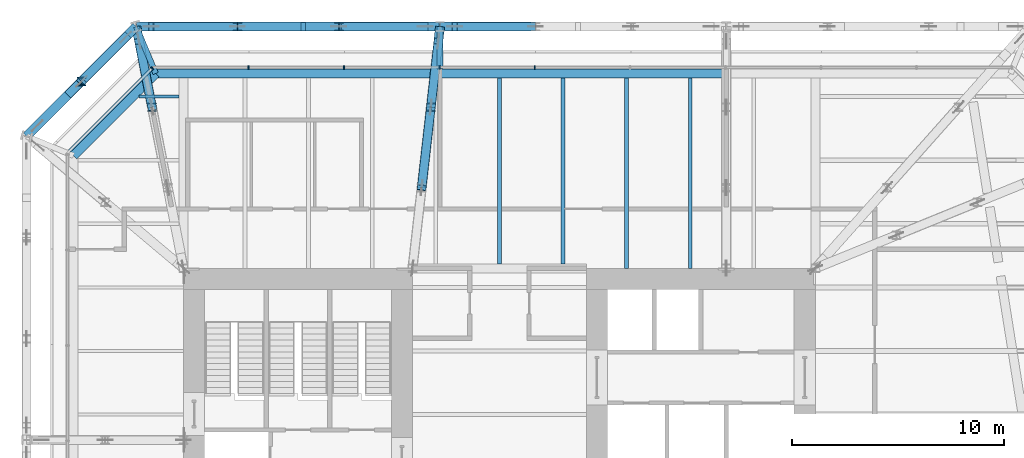
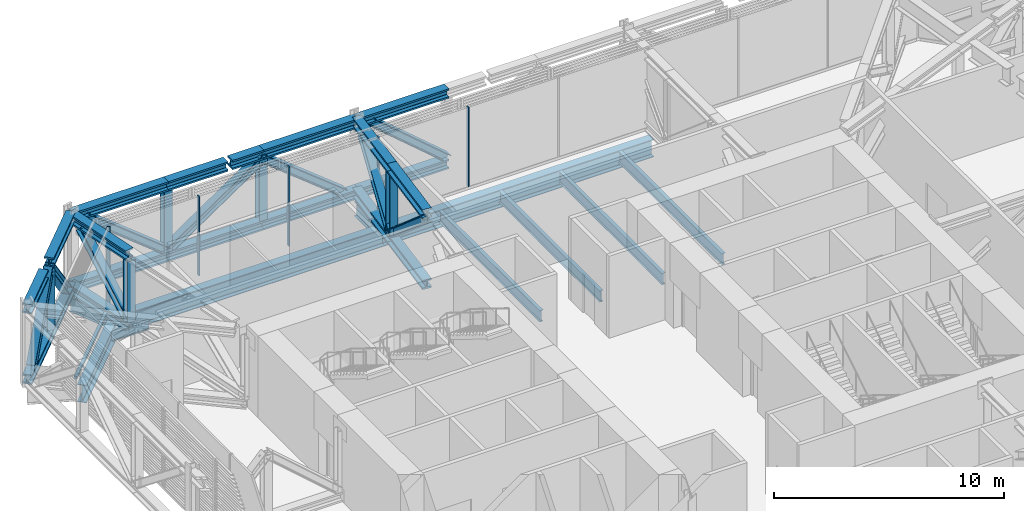
# One storey, part 15 of 31: 29 beams, 20 members, 2 elements without a shape of their own.
"""IFC4 building model written with IfcOpenShell, lengths in metres."""

from ifc_helpers import new_model, si_unit, direction, frame, origin, origin_2d, place, context, subcontext, project, spatial, rectangle, i_section, extrude, material, layer, layer_set, material_profile, profile_set, type_object, element, aggregate, save


model = new_model("IFC4")

# Units and contexts
model_context = context("Model", 3, precision=1e-05, world=origin(), true_north=direction((0.0, 1.0)))
body_context = subcontext(model_context, "Body", "Model", "MODEL_VIEW")
ifc_project = project(units=[si_unit("LENGTHUNIT", "METRE"), si_unit("AREAUNIT", "SQUARE_METRE"), si_unit("VOLUMEUNIT", "CUBIC_METRE"), si_unit("PLANEANGLEUNIT", "RADIAN"), si_unit("MASSUNIT", "GRAM", prefix="KILO")], contexts=[model_context])

# Site, building, storey
site_placement = place(None, origin())
site = spatial("IfcSite", under=ifc_project, at=site_placement, CompositionType="ELEMENT")
building_placement = place(site_placement, origin())
building = spatial("IfcBuilding", under=site, at=building_placement, Name="Millrace Tower", CompositionType="ELEMENT")
storey_placement = place(building_placement, frame((0.0, 0.0, 120.39990234375)))
storey = spatial("IfcBuildingStorey", under=building, at=storey_placement, Name="L26", CompositionType="ELEMENT", Elevation=120.39990234375)

# Beams
ifc_material_1 = material(Name="Steel ASTM A992 Grade 50", Category="steel")
ifc_material_profile_1 = material_profile(ifc_material_1, i_section(OverallWidth=0.431884765625, OverallDepth=0.497802734375, WebThickness=0.0556640625, FlangeThickness=0.0888671875, FilletRadius=0.01513671875, at=origin_2d()))
ifc_profile_set_1 = profile_set([ifc_material_profile_1], Name="Steel ASTM A992 Grade 50")
beam_type_1 = type_object("IfcBeamType", Name="Belt truss chord W14x500", PredefinedType="BEAM", material=ifc_profile_set_1)
for number, where, z_axis, x_axis, name in (
    (1, (1.699951171875, 21.300048828125, 0.2490234375), (-1.0, 0.0, 0.0), (0.0, -1.0, 0.0), "BLT-L26-R11-B03"),
    (2, (1.699951171875, 21.300048828125, 3.9912109375), (-1.0, 0.0, 0.0), (0.0, -1.0, 0.0), "BLT-L26-R11-T03"),
):
    element("IfcBeam", number, at=place(storey_placement, frame(where, z_axis=z_axis, x_axis=x_axis)), inside=storey, type_object=beam_type_1, Name=name, PredefinedType="BEAM", context=body_context, shape_type="SweptSolid", body=[
        extrude(i_section(OverallWidth=0.431884765625, OverallDepth=0.497802734375, WebThickness=0.0556640625, FlangeThickness=0.0888671875, FilletRadius=0.01513671875, at=origin_2d()), origin(), (0.0, 0.0, 1.0), 4.5),
    ])
for number, where, z_axis, x_axis, name in (
    (3, (-2.800048828125, 21.300048828125, 0.2490234375), (-1.0, 0.0, 0.0), (0.0, -1.0, 0.0), "BLT-L26-R12-B01"),
    (4, (-7.576171875, 21.300048828125, 0.2490234375), (-1.0, 0.0, 0.0), (0.0, -1.0, 0.0), "BLT-L26-R12-B02"),
    (5, (-12.352294921875, 21.300048828125, 0.2490234375), (-1.0, 0.0, 0.0), (0.0, -1.0, 0.0), "BLT-L26-R12-B03"),
    (6, (-12.352294921875, 21.300048828125, 3.9912109375), (-1.0, 0.0, 0.0), (0.0, -1.0, 0.0), "BLT-L26-R12-T03"),
):
    element("IfcBeam", number, at=place(storey_placement, frame(where, z_axis=z_axis, x_axis=x_axis)), inside=storey, type_object=beam_type_1, Name=name, PredefinedType="BEAM", context=body_context, shape_type="SweptSolid", body=[
        extrude(i_section(OverallWidth=0.431884765625, OverallDepth=0.497802734375, WebThickness=0.0556640625, FlangeThickness=0.0888671875, FilletRadius=0.01513671875, at=origin_2d()), origin(), (0.0, 0.0, 1.0), 4.776123046875),
    ])
for number, where, z_axis, x_axis, name in (
    (7, (-17.12841796875, 21.300048828125, 0.2490234375), (-0.707073399538, -0.70714016126, 0.0), (0.70714016126, -0.707073399538, 0.0), "BLT-L26-R13-B01"),
    (8, (-17.12841796875, 21.300048828125, 3.9912109375), (-0.707073399538, -0.70714016126, 0.0), (0.70714016126, -0.707073399538, 0.0), "BLT-L26-R13-T01"),
    (9, (-19.714111328125, 18.714111328125, 0.2490234375), (-0.70714016126, -0.707073399538, 0.0), (0.707073399538, -0.70714016126, 0.0), "BLT-L26-R13-B02"),
):
    element("IfcBeam", number, at=place(storey_placement, frame(where, z_axis=z_axis, x_axis=x_axis)), inside=storey, type_object=beam_type_1, Name=name, PredefinedType="BEAM", context=body_context, shape_type="SweptSolid", body=[
        extrude(i_section(OverallWidth=0.431884765625, OverallDepth=0.497802734375, WebThickness=0.0556640625, FlangeThickness=0.0888671875, FilletRadius=0.01513671875, at=origin_2d()), origin(), (0.0, 0.0, 1.0), 3.656982421875),
    ])
beam_1_placement = place(storey_placement, frame((-2.845458984375, 21.300048828125, 3.9912109375), z_axis=(-1.0, 0.0, 0.0), x_axis=(0.0, -1.0, 0.0)))
element("IfcBeam", 10, at=beam_1_placement, inside=storey, type_object=beam_type_1, Name="BLT-L26-R12-T01", PredefinedType="BEAM", context=body_context, shape_type="SweptSolid", body=[
    extrude(i_section(OverallWidth=0.431884765625, OverallDepth=0.497802734375, WebThickness=0.0556640625, FlangeThickness=0.0888671875, FilletRadius=0.01513671875, at=origin_2d()), origin(), (0.0, 0.0, 1.0), 4.730712890625),
])
beam_2_placement = place(storey_placement, frame((-7.576171875, 21.300048828125, 3.9912109375), z_axis=(-1.0, 0.0, 0.0), x_axis=(0.0, -1.0, 0.0)))
element("IfcBeam", 11, at=beam_2_placement, inside=storey, type_object=beam_type_1, Name="BLT-L26-R12-T02-a", PredefinedType="BEAM", context=body_context, shape_type="SweptSolid", body=[
    extrude(i_section(OverallWidth=0.431884765625, OverallDepth=0.497802734375, WebThickness=0.0556640625, FlangeThickness=0.0888671875, FilletRadius=0.01513671875, at=origin_2d()), origin(), (0.0, 0.0, 1.0), 1.57080078125),
])
beam_3_placement = place(storey_placement, frame((-9.368408203125, 21.300048828125, 3.9912109375), z_axis=(-1.0, 0.0, 0.0), x_axis=(0.0, -1.0, 0.0)))
element("IfcBeam", 12, at=beam_3_placement, inside=storey, type_object=beam_type_1, Name="BLT-L26-R12-T02-b", PredefinedType="BEAM", context=body_context, shape_type="SweptSolid", body=[
    extrude(i_section(OverallWidth=0.431884765625, OverallDepth=0.497802734375, WebThickness=0.0556640625, FlangeThickness=0.0888671875, FilletRadius=0.01513671875, at=origin_2d()), origin(), (0.0, 0.0, 1.0), 2.98388671875),
])
beam_4_placement = place(storey_placement, frame((-20.359619140625, 18.06884765625, 3.9912109375), z_axis=(-0.707106781187, -0.707106781187, 0.0), x_axis=(0.707106781187, -0.707106781187, 0.0)))
element("IfcBeam", 13, at=beam_4_placement, inside=storey, type_object=beam_type_1, Name="BLT-L26-R13-T02", PredefinedType="BEAM", context=body_context, shape_type="SweptSolid", body=[
    extrude(i_section(OverallWidth=0.431884765625, OverallDepth=0.497802734375, WebThickness=0.0556640625, FlangeThickness=0.0888671875, FilletRadius=0.01513671875, at=origin_2d()), origin(), (0.0, 0.0, 1.0), 2.744140625),
])

# Members
ifc_material_2 = material(Name="Steel ASTM A992 Grade 50", Category="steel")
ifc_material_profile_2 = material_profile(ifc_material_2, i_section(OverallWidth=0.4013671875, OverallDepth=0.398681640625, WebThickness=0.02490234375, FlangeThickness=0.03955078125, FilletRadius=0.01513671875, at=origin_2d()))
ifc_profile_set_2 = profile_set([ifc_material_profile_2], Name="Steel ASTM A992 Grade 50")
member_type_1 = type_object("IfcMemberType", Name="Belt truss diagonal W14x211", PredefinedType="BRACE", material=ifc_profile_set_2)
member_1_placement = place(storey_placement, frame((1.699951171875, 21.300048828125, 0.498046875), z_axis=(-0.760545081281, 0.0, 0.649285129461), x_axis=(0.0, -1.0, 0.0)))
element("IfcMember", 14, at=member_1_placement, inside=storey, type_object=member_type_1, Name="BLT-L26-R11-D03", PredefinedType="BRACE", context=body_context, shape_type="SweptSolid", body=[
    extrude(i_section(OverallWidth=0.4013671875, OverallDepth=0.398681640625, WebThickness=0.02490234375, FlangeThickness=0.03955078125, FilletRadius=0.01513671875, at=origin_2d()), origin(), (0.0, 0.0, 1.0), 4.99658203125),
])
member_2_placement = place(storey_placement, frame((-3.5, 21.300048828125, 0.498046875), z_axis=(-0.782439131655, 0.0, 0.62272707124), x_axis=(0.0, -1.0, 0.0)))
element("IfcMember", 15, at=member_2_placement, inside=storey, type_object=member_type_1, Name="BLT-L26-R12-D01", PredefinedType="BRACE", context=body_context, shape_type="SweptSolid", body=[
    extrude(i_section(OverallWidth=0.4013671875, OverallDepth=0.398681640625, WebThickness=0.02490234375, FlangeThickness=0.03955078125, FilletRadius=0.01513671875, at=origin_2d()), origin(), (0.0, 0.0, 1.0), 5.20947265625),
])
member_3_placement = place(storey_placement, frame((-12.352294921875, 21.300048828125, 0.498046875), z_axis=(0.827218174589, 0.0, 0.561880851809), x_axis=(0.0, 1.0, 0.0)))
element("IfcMember", 16, at=member_3_placement, inside=storey, type_object=member_type_1, Name="BLT-L26-R12-D02", PredefinedType="BRACE", context=body_context, shape_type="SweptSolid", body=[
    extrude(i_section(OverallWidth=0.4013671875, OverallDepth=0.398681640625, WebThickness=0.02490234375, FlangeThickness=0.03955078125, FilletRadius=0.01513671875, at=origin_2d()), origin(), (0.0, 0.0, 1.0), 5.773681640625),
])
member_4_placement = place(storey_placement, frame((-12.352294921875, 21.300048828125, 0.498046875), z_axis=(-0.782439131655, 0.0, 0.62272707124), x_axis=(0.0, -1.0, 0.0)))
element("IfcMember", 17, at=member_4_placement, inside=storey, type_object=member_type_1, Name="BLT-L26-R12-D03", PredefinedType="BRACE", context=body_context, shape_type="SweptSolid", body=[
    extrude(i_section(OverallWidth=0.4013671875, OverallDepth=0.398681640625, WebThickness=0.02490234375, FlangeThickness=0.03955078125, FilletRadius=0.01513671875, at=origin_2d()), origin(), (0.0, 0.0, 1.0), 5.20947265625),
])
for number, where, z_axis, x_axis, name in (
    (18, (-17.623291015625, 20.804931640625, 0.498046875), (-0.476325620306, -0.476325620306, 0.739072260933), (0.707106781187, -0.707106781187, 0.0), "BLT-L26-R13-D01"),
    (19, (-21.804931640625, 16.623291015625, 0.498046875), (0.476325620306, 0.476325620306, 0.739072260933), (-0.707106781187, 0.707106781187, 0.0), "BLT-L26-R13-D02"),
):
    element("IfcMember", number, at=place(storey_placement, frame(where, z_axis=z_axis, x_axis=x_axis)), inside=storey, type_object=member_type_1, Name=name, PredefinedType="BRACE", context=body_context, shape_type="SweptSolid", body=[
        extrude(i_section(OverallWidth=0.4013671875, OverallDepth=0.398681640625, WebThickness=0.02490234375, FlangeThickness=0.03955078125, FilletRadius=0.01513671875, at=origin_2d()), origin(), (0.0, 0.0, 1.0), 4.389404296875),
    ])
ifc_material_3 = material(Name="Steel ASTM A992 Grade 50", Category="steel")
ifc_material_profile_3 = material_profile(ifc_material_3, i_section(OverallWidth=0.398681640625, OverallDepth=0.385986328125, WebThickness=0.02099609375, FlangeThickness=0.033203125, FilletRadius=0.01513671875, at=origin_2d()))
ifc_profile_set_3 = profile_set([ifc_material_profile_3], Name="Steel ASTM A992 Grade 50")
member_type_2 = type_object("IfcMemberType", Name="Belt truss post W14x176", PredefinedType="POST", material=ifc_profile_set_3)
for number, where, z_axis, x_axis, name in (
    (20, (-7.576171875, 21.300048828125, 0.498046875), (0.0, 0.0, 1.0), (1.0, 0.0, 0.0), "BLT-L26-R12-V01"),
    (21, (-12.352294921875, 21.300048828125, 0.498046875), (0.0, 0.0, 1.0), (1.0, 0.0, 0.0), "BLT-L26-R12-V02"),
    (22, (-19.714111328125, 18.714111328125, 0.498046875), (0.0, 0.0, 1.0), (1.0, 0.0, 0.0), "BLT-L26-R13-V01"),
):
    element("IfcMember", number, at=place(storey_placement, frame(where, z_axis=z_axis, x_axis=x_axis)), inside=storey, type_object=member_type_2, Name=name, PredefinedType="POST", context=body_context, shape_type="SweptSolid", body=[
        extrude(i_section(OverallWidth=0.398681640625, OverallDepth=0.385986328125, WebThickness=0.02099609375, FlangeThickness=0.033203125, FilletRadius=0.01513671875, at=origin_2d()), origin(), (0.0, 0.0, 1.0), 3.244140625),
    ])

# Curtain wall, members
ifc_material_4 = material(Name="Aluminium and glass", Category="aluminium")
ifc_layer = layer(ifc_material_4, 0.14990234375)
ifc_layer_set = layer_set([ifc_layer], Name="Aluminium and glass")
curtain_wall_type = type_object("IfcCurtainWallType", Name="CW-5 truss and plant storey louvred infill", PredefinedType="NOTDEFINED", material=ifc_layer_set)
placement = place(storey_placement, origin())
curtain_wall_1 = element("IfcCurtainWall", 23, at=placement, inside=storey, type_object=curtain_wall_type, Name="Curtain wall B-F06 L26", PredefinedType="NOTDEFINED")
ifc_material_5 = material(Name="Aluminium", Category="aluminium")
ifc_material_profile_4 = material_profile(ifc_material_5, rectangle(XDim=0.06494140625, YDim=0.14990234375, at=origin_2d()))
ifc_profile_set_4 = profile_set([ifc_material_profile_4], Name="Aluminium")
member_type_3 = type_object("IfcMemberType", Name="CW-5 truss and plant storey louvred infill mullion", PredefinedType="MULLION", material=ifc_profile_set_4)
member_5_placement = place(storey_placement, frame((1.66748046875, 19.375, 0.14013671875), z_axis=(0.0, 0.0, 1.0), x_axis=(-1.0, 0.0, 0.0)))
member_5 = element("IfcMember", 24, at=member_5_placement, type_object=member_type_3, Name="CW5 mullion B-F06.6", PredefinedType="MULLION", context=body_context, shape_type="SweptSolid", body=[
    extrude(rectangle(XDim=0.06494140625, YDim=0.14990234375, at=origin_2d()), origin(), (0.0, 0.0, 1.0), 4.199951171875),
])
member_6_placement = place(storey_placement, frame((-2.83251953125, 19.375, 0.14013671875), z_axis=(0.0, 0.0, 1.0), x_axis=(-1.0, 0.0, 0.0)))
member_6 = element("IfcMember", 25, at=member_6_placement, type_object=member_type_3, Name="CW5 mullion B-F06.7", PredefinedType="MULLION", context=body_context, shape_type="SweptSolid", body=[
    extrude(rectangle(XDim=0.06494140625, YDim=0.14990234375, at=origin_2d()), origin(), (0.0, 0.0, 1.0), 4.199951171875),
])
member_7_placement = place(storey_placement, frame((-7.33251953125, 19.375, 0.14013671875), z_axis=(0.0, 0.0, 1.0), x_axis=(-1.0, 0.0, 0.0)))
member_7 = element("IfcMember", 26, at=member_7_placement, type_object=member_type_3, Name="CW5 mullion B-F06.8", PredefinedType="MULLION", context=body_context, shape_type="SweptSolid", body=[
    extrude(rectangle(XDim=0.06494140625, YDim=0.14990234375, at=origin_2d()), origin(), (0.0, 0.0, 1.0), 4.199951171875),
])
member_8_placement = place(storey_placement, frame((-11.83251953125, 19.375, 0.14013671875), z_axis=(0.0, 0.0, 1.0), x_axis=(-1.0, 0.0, 0.0)))
member_8 = element("IfcMember", 27, at=member_8_placement, type_object=member_type_3, Name="CW5 mullion B-F06.9", PredefinedType="MULLION", context=body_context, shape_type="SweptSolid", body=[
    extrude(rectangle(XDim=0.06494140625, YDim=0.14990234375, at=origin_2d()), origin(), (0.0, 0.0, 1.0), 4.199951171875),
])
aggregate(curtain_wall_1, [member_5, member_6, member_7, member_8])

curtain_wall_2 = element("IfcCurtainWall", 28, at=placement, inside=storey, type_object=curtain_wall_type, Name="Curtain wall B-F07 L26", PredefinedType="NOTDEFINED")
member_9_placement = place(storey_placement, frame((-16.3759765625, 19.330078125, 0.14013671875), z_axis=(0.0, 0.0, 1.0), x_axis=(-0.707106781187, -0.707106781187, 0.0)))
member_9 = element("IfcMember", 29, at=member_9_placement, type_object=member_type_3, Name="CW5 mullion B-F07.1", PredefinedType="MULLION", context=body_context, shape_type="SweptSolid", body=[
    extrude(rectangle(XDim=0.06494140625, YDim=0.14990234375, at=origin_2d()), origin(), (0.0, 0.0, 1.0), 4.199951171875),
])
ifc_material_6 = material(Name="Aluminium", Category="aluminium")
ifc_material_profile_5 = material_profile(ifc_material_6, rectangle(XDim=0.14990234375, YDim=0.139892578125, at=origin_2d()))
ifc_profile_set_5 = profile_set([ifc_material_profile_5], Name="Aluminium")
member_type_4 = type_object("IfcMemberType", Name="CW-5 truss and plant storey louvred infill transom", PredefinedType="USERDEFINED", material=ifc_profile_set_5)
member_10_placement = place(storey_placement, frame((-16.423828125, 19.2822265625, 0.070068359375), z_axis=(-0.707106781187, -0.707106781187, 0.0), x_axis=(0.707106781187, -0.707106781187, 0.0)))
member_10 = element("IfcMember", 30, at=member_10_placement, type_object=member_type_4, Name="CW5 transom B-F07.1", ObjectType="TRANSOM", PredefinedType="USERDEFINED", context=body_context, shape_type="SweptSolid", body=[
    extrude(rectangle(XDim=0.14990234375, YDim=0.139892578125, at=origin_2d()), origin(), (0.0, 0.0, 1.0), 5.45654296875),
])
aggregate(curtain_wall_2, [member_9, member_10])

# Beams
ifc_material_7 = material(Name="Steel ASTM A992 Grade 50", Category="steel")
ifc_material_profile_6 = material_profile(ifc_material_7, i_section(OverallWidth=0.15234375, OverallDepth=0.449462890625, WebThickness=0.007568359375, FlangeThickness=0.0107421875, FilletRadius=0.01025390625, at=origin_2d()))
ifc_profile_set_6 = profile_set([ifc_material_profile_6], Name="Steel ASTM A992 Grade 50")
beam_type_2 = type_object("IfcBeamType", Name="Floor beam W18x35", PredefinedType="JOIST", material=ifc_profile_set_6)
beam_5_placement = place(storey_placement, frame((-16.99169921875, 18.0, -0.474609375), z_axis=(1.0, 0.0, 0.0), x_axis=(0.0, 1.0, 0.0)))
element("IfcBeam", 31, at=beam_5_placement, inside=storey, type_object=beam_type_2, Name="BM-B-L26-S1-S038", PredefinedType="JOIST", context=body_context, shape_type="SweptSolid", body=[
    extrude(i_section(OverallWidth=0.15234375, OverallDepth=0.449462890625, WebThickness=0.007568359375, FlangeThickness=0.0107421875, FilletRadius=0.01025390625, at=origin_2d()), origin(), (0.0, 0.0, 1.0), 1.879638671875),
])
ifc_material_8 = material(Name="Steel ASTM A992 Grade 50", Category="steel")
ifc_material_profile_7 = material_profile(ifc_material_8, i_section(OverallWidth=0.177978515625, OverallDepth=0.599365234375, WebThickness=0.010009765625, FlangeThickness=0.012939453125, FilletRadius=0.012939453125, at=origin_2d()))
ifc_profile_set_7 = profile_set([ifc_material_profile_7], Name="Steel ASTM A992 Grade 50")
beam_type_3 = type_object("IfcBeamType", Name="Floor beam W24x55", PredefinedType="JOIST", material=ifc_profile_set_7)
for number, where, z_axis, x_axis, name in (
    (32, (0.0, 10.112060546875, -0.549560546875), (0.0, 1.0, 0.0), (-1.0, 0.0, 0.0), "BM-B-L26-S1-S048"),
    (33, (3.0, 10.112060546875, -0.549560546875), (0.0, 1.0, 0.0), (-1.0, 0.0, 0.0), "BM-B-L26-S1-S050"),
):
    element("IfcBeam", number, at=place(storey_placement, frame(where, z_axis=z_axis, x_axis=x_axis)), inside=storey, type_object=beam_type_3, Name=name, PredefinedType="JOIST", context=body_context, shape_type="SweptSolid", body=[
        extrude(i_section(OverallWidth=0.177978515625, OverallDepth=0.599365234375, WebThickness=0.010009765625, FlangeThickness=0.012939453125, FilletRadius=0.012939453125, at=origin_2d()), origin(), (0.0, 0.0, 1.0), 8.766357421875),
    ])
for number, where, z_axis, x_axis, name in (
    (34, (6.0, 9.89990234375, -0.549560546875), (0.0, 1.0, 0.0), (-1.0, 0.0, 0.0), "BM-B-L26-S1-S052"),
    (35, (9.0, 9.89990234375, -0.549560546875), (0.0, 1.0, 0.0), (-1.0, 0.0, 0.0), "BM-B-L26-S1-S054"),
):
    element("IfcBeam", number, at=place(storey_placement, frame(where, z_axis=z_axis, x_axis=x_axis)), inside=storey, type_object=beam_type_3, Name=name, PredefinedType="JOIST", context=body_context, shape_type="SweptSolid", body=[
        extrude(i_section(OverallWidth=0.177978515625, OverallDepth=0.599365234375, WebThickness=0.010009765625, FlangeThickness=0.012939453125, FilletRadius=0.012939453125, at=origin_2d()), origin(), (0.0, 0.0, 1.0), 8.978515625),
    ])
ifc_material_9 = material(Name="Steel ASTM A992 Grade 50", Category="steel")
ifc_material_profile_8 = material_profile(ifc_material_9, i_section(OverallWidth=0.2666015625, OverallDepth=0.7568359375, WebThickness=0.013916015625, FlangeThickness=0.019287109375, FilletRadius=0.0166015625, at=origin_2d()))
ifc_profile_set_8 = profile_set([ifc_material_profile_8], Name="Steel ASTM A992 Grade 50")
beam_type_4 = type_object("IfcBeamType", Name="Link beam W30x108", PredefinedType="BEAM", material=ifc_profile_set_8)
beam_6_placement = place(storey_placement, frame((-16.212646484375, 19.089111328125, -0.62841796875), z_axis=(-0.382673155247, 0.923883789366, 0.0), x_axis=(-0.923883789366, -0.382673155247, 0.0)))
element("IfcBeam", 36, at=beam_6_placement, inside=storey, type_object=beam_type_4, Name="LNK-B-L26-S1-05", PredefinedType="BEAM", context=body_context, shape_type="SweptSolid", body=[
    extrude(i_section(OverallWidth=0.2666015625, OverallDepth=0.7568359375, WebThickness=0.013916015625, FlangeThickness=0.019287109375, FilletRadius=0.0166015625, at=origin_2d()), origin(), (0.0, 0.0, 1.0), 2.39306640625),
])
beam_7_placement = place(storey_placement, frame((-2.800048828125, 19.300048828125, -0.62841796875), z_axis=(0.0, 1.0, 0.0), x_axis=(-1.0, 0.0, 0.0)))
element("IfcBeam", 37, at=beam_7_placement, inside=storey, type_object=beam_type_4, Name="LNK-B-L26-S1-06", PredefinedType="BEAM", context=body_context, shape_type="SweptSolid", body=[
    extrude(i_section(OverallWidth=0.2666015625, OverallDepth=0.7568359375, WebThickness=0.013916015625, FlangeThickness=0.019287109375, FilletRadius=0.0166015625, at=origin_2d()), origin(), (0.0, 0.0, 1.0), 2.0),
])
ifc_material_10 = material(Name="Steel ASTM A992 Grade 50", Category="steel")
ifc_material_profile_9 = material_profile(ifc_material_10, i_section(OverallWidth=0.431884765625, OverallDepth=0.497802734375, WebThickness=0.0556640625, FlangeThickness=0.0888671875, FilletRadius=0.01513671875, at=origin_2d()))
ifc_profile_set_9 = profile_set([ifc_material_profile_9], Name="Steel ASTM A992 Grade 50")
beam_type_5 = type_object("IfcBeamType", Name="Outrigger truss chord W14x500", PredefinedType="BEAM", material=ifc_profile_set_9)
for number, where, z_axis, x_axis, name in (
    (38, (-3.666748046875, 13.699951171875, 0.2490234375), (0.113303549201, 0.993560418766, 0.0), (-0.993560418766, 0.113303549201, 0.0), "BLT-L26-O12-B02"),
    (39, (-3.666748046875, 13.699951171875, 3.9912109375), (0.113303549201, 0.993560418766, 0.0), (-0.993560418766, 0.113303549201, 0.0), "BLT-L26-O12-T02"),
    (40, (-3.2333984375, 17.5, 0.2490234375), (0.113303549201, 0.993560418766, 0.0), (-0.993560418766, 0.113303549201, 0.0), "BLT-L26-O12-B03"),
    (41, (-3.2333984375, 17.5, 3.9912109375), (0.113303549201, 0.993560418766, 0.0), (-0.993560418766, 0.113303549201, 0.0), "BLT-L26-O12-T03"),
):
    element("IfcBeam", number, at=place(storey_placement, frame(where, z_axis=z_axis, x_axis=x_axis)), inside=storey, type_object=beam_type_5, Name=name, PredefinedType="BEAM", context=body_context, shape_type="SweptSolid", body=[
        extrude(i_section(OverallWidth=0.431884765625, OverallDepth=0.497802734375, WebThickness=0.0556640625, FlangeThickness=0.0888671875, FilletRadius=0.01513671875, at=origin_2d()), origin(), (0.0, 0.0, 1.0), 3.82470703125),
    ])
for number, where, z_axis, x_axis, name in (
    (42, (-16.385498046875, 17.5, 0.2490234375), (-0.191870344964, 0.981420282409, 0.0), (-0.981420282409, -0.191870344964, 0.0), "BLT-L26-O13-B03"),
    (43, (-16.385498046875, 17.5, 3.9912109375), (-0.191870344964, 0.981420282409, 0.0), (-0.981420282409, -0.191870344964, 0.0), "BLT-L26-O13-T03"),
):
    element("IfcBeam", number, at=place(storey_placement, frame(where, z_axis=z_axis, x_axis=x_axis)), inside=storey, type_object=beam_type_5, Name=name, PredefinedType="BEAM", context=body_context, shape_type="SweptSolid", body=[
        extrude(i_section(OverallWidth=0.431884765625, OverallDepth=0.497802734375, WebThickness=0.0556640625, FlangeThickness=0.0888671875, FilletRadius=0.01513671875, at=origin_2d()), origin(), (0.0, 0.0, 1.0), 3.8720703125),
    ])

# Members
ifc_material_11 = material(Name="Steel ASTM A992 Grade 50", Category="steel")
ifc_material_profile_10 = material_profile(ifc_material_11, i_section(OverallWidth=0.4013671875, OverallDepth=0.398681640625, WebThickness=0.02490234375, FlangeThickness=0.03955078125, FilletRadius=0.01513671875, at=origin_2d()))
ifc_profile_set_10 = profile_set([ifc_material_profile_10], Name="Steel ASTM A992 Grade 50")
member_type_5 = type_object("IfcMemberType", Name="Outrigger truss diagonal W14x211", PredefinedType="BRACE", material=ifc_profile_set_10)
member_11_placement = place(storey_placement, frame((-3.2333984375, 17.5, 0.498046875), z_axis=(-0.086406590565, -0.757700609663, 0.646856774892), x_axis=(0.993560418766, -0.113303549201, 0.0)))
element("IfcMember", 44, at=member_11_placement, inside=storey, type_object=member_type_5, Name="BLT-L26-O12-D02", PredefinedType="BRACE", context=body_context, shape_type="SweptSolid", body=[
    extrude(i_section(OverallWidth=0.4013671875, OverallDepth=0.398681640625, WebThickness=0.02490234375, FlangeThickness=0.03955078125, FilletRadius=0.01513671875, at=origin_2d()), origin(), (0.0, 0.0, 1.0), 5.01513671875),
])
member_12_placement = place(storey_placement, frame((-3.2333984375, 17.5, 0.498046875), z_axis=(0.078594526367, 0.689246894677, 0.720251080251), x_axis=(-0.993561351164, 0.113295372695, 0.0)))
element("IfcMember", 45, at=member_12_placement, inside=storey, type_object=member_type_5, Name="BLT-L26-O12-D03", PredefinedType="BRACE", context=body_context, shape_type="SweptSolid", body=[
    extrude(i_section(OverallWidth=0.4013671875, OverallDepth=0.398681640625, WebThickness=0.02490234375, FlangeThickness=0.03955078125, FilletRadius=0.01513671875, at=origin_2d()), origin(), (0.0, 0.0, 1.0), 4.504150390625),
])
member_13_placement = place(storey_placement, frame((-16.385498046875, 17.5, 0.498046875), z_axis=(-0.134145918068, 0.686118973641, 0.715014424103), x_axis=(-0.981418185381, -0.191881070987, 0.0)))
element("IfcMember", 46, at=member_13_placement, inside=storey, type_object=member_type_5, Name="BLT-L26-O13-D03", PredefinedType="BRACE", context=body_context, shape_type="SweptSolid", body=[
    extrude(i_section(OverallWidth=0.4013671875, OverallDepth=0.398681640625, WebThickness=0.02490234375, FlangeThickness=0.03955078125, FilletRadius=0.01513671875, at=origin_2d()), origin(), (0.0, 0.0, 1.0), 4.537109375),
])
ifc_material_12 = material(Name="Steel ASTM A992 Grade 50", Category="steel")
ifc_material_profile_11 = material_profile(ifc_material_12, i_section(OverallWidth=0.398681640625, OverallDepth=0.385986328125, WebThickness=0.02099609375, FlangeThickness=0.033203125, FilletRadius=0.01513671875, at=origin_2d()))
ifc_profile_set_11 = profile_set([ifc_material_profile_11], Name="Steel ASTM A992 Grade 50")
member_type_6 = type_object("IfcMemberType", Name="Outrigger truss post W14x176", PredefinedType="POST", material=ifc_profile_set_11)
for number, where, z_axis, x_axis, name in (
    (47, (-3.2333984375, 17.5, 0.498046875), (0.0, 0.0, 1.0), (1.0, 0.0, 0.0), "BLT-L26-O12-V02"),
    (48, (-16.385498046875, 17.5, 0.498046875), (0.0, 0.0, 1.0), (1.0, 0.0, 0.0), "BLT-L26-O13-V02"),
):
    element("IfcMember", number, at=place(storey_placement, frame(where, z_axis=z_axis, x_axis=x_axis)), inside=storey, type_object=member_type_6, Name=name, PredefinedType="POST", context=body_context, shape_type="SweptSolid", body=[
        extrude(i_section(OverallWidth=0.398681640625, OverallDepth=0.385986328125, WebThickness=0.02099609375, FlangeThickness=0.033203125, FilletRadius=0.01513671875, at=origin_2d()), origin(), (0.0, 0.0, 1.0), 3.244140625),
    ])

# Beams
ifc_material_13 = material(Name="Steel ASTM A992 Grade 50", Category="steel")
ifc_material_profile_12 = material_profile(ifc_material_13, i_section(OverallWidth=0.421630859375, OverallDepth=0.937255859375, WebThickness=0.021240234375, FlangeThickness=0.03662109375, FilletRadius=0.024169921875, at=origin_2d()))
ifc_profile_set_12 = profile_set([ifc_material_profile_12], Name="Steel ASTM A992 Grade 50")
beam_type_6 = type_object("IfcBeamType", Name="Ring beam medium span W36x262", PredefinedType="SPANDREL", material=ifc_profile_set_12)
beam_8_placement = place(storey_placement, frame((-16.212646484375, 19.089111328125, -0.718505859375), z_axis=(1.0, 0.0, 0.0), x_axis=(0.0, 1.0, 0.0)))
element("IfcBeam", 49, at=beam_8_placement, inside=storey, type_object=beam_type_6, Name="RNG-B-L26-S1-05", PredefinedType="SPANDREL", context=body_context, shape_type="SweptSolid", body=[
    extrude(i_section(OverallWidth=0.421630859375, OverallDepth=0.937255859375, WebThickness=0.021240234375, FlangeThickness=0.03662109375, FilletRadius=0.024169921875, at=origin_2d()), origin(), (0.0, 0.0, 1.0), 13.41259765625),
])
beam_9_placement = place(storey_placement, frame((-2.800048828125, 19.089111328125, -0.718505859375), z_axis=(1.0, 0.0, 0.0), x_axis=(0.0, 1.0, 0.0)))
element("IfcBeam", 50, at=beam_9_placement, inside=storey, type_object=beam_type_6, Name="RNG-B-L26-S1-06", PredefinedType="SPANDREL", context=body_context, shape_type="SweptSolid", body=[
    extrude(i_section(OverallWidth=0.421630859375, OverallDepth=0.937255859375, WebThickness=0.021240234375, FlangeThickness=0.03662109375, FilletRadius=0.024169921875, at=origin_2d()), origin(), (0.0, 0.0, 1.0), 13.5),
])
ifc_material_14 = material(Name="Steel ASTM A992 Grade 50", Category="steel")
ifc_material_profile_13 = material_profile(ifc_material_14, i_section(OverallWidth=0.421630859375, OverallDepth=0.937255859375, WebThickness=0.021240234375, FlangeThickness=0.03662109375, FilletRadius=0.024169921875, at=origin_2d()))
ifc_profile_set_13 = profile_set([ifc_material_profile_13], Name="Steel ASTM A992 Grade 50")
beam_type_7 = type_object("IfcBeamType", Name="Ring beam short span W36x262", PredefinedType="SPANDREL", material=ifc_profile_set_13)
beam_10_placement = place(storey_placement, frame((-20.089111328125, 15.212646484375, -0.718505859375), z_axis=(0.707106781187, 0.707106781187, 0.0), x_axis=(-0.707106781187, 0.707106781187, 0.0)))
element("IfcBeam", 51, at=beam_10_placement, inside=storey, type_object=beam_type_7, Name="RNG-B-L26-S1-04", PredefinedType="SPANDREL", context=body_context, shape_type="SweptSolid", body=[
    extrude(i_section(OverallWidth=0.421630859375, OverallDepth=0.937255859375, WebThickness=0.021240234375, FlangeThickness=0.03662109375, FilletRadius=0.024169921875, at=origin_2d()), origin(), (0.0, 0.0, 1.0), 5.482177734375),
])

save(model, "model.ifc")
